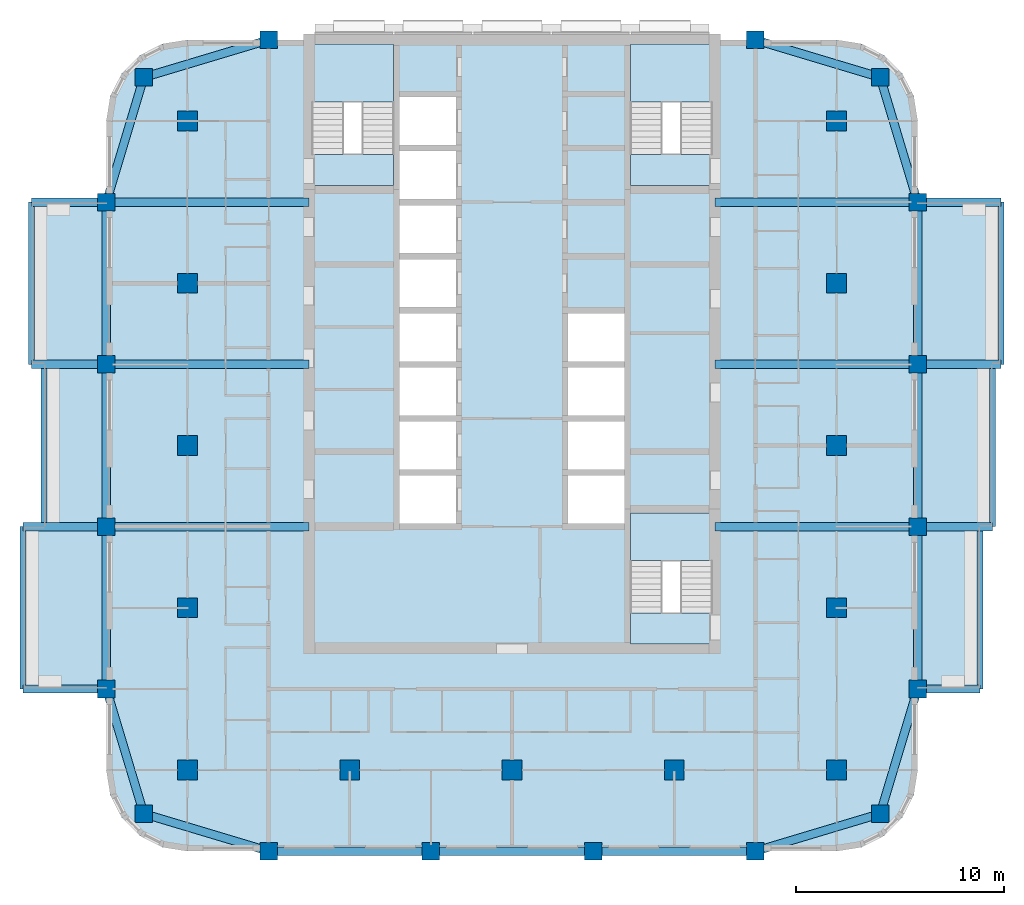
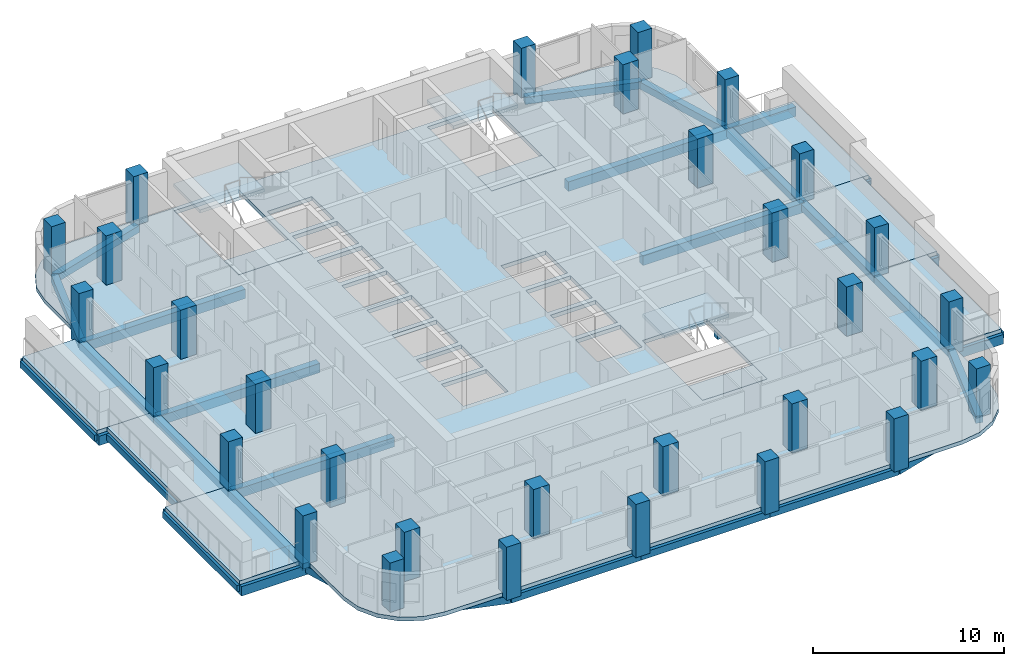
# One storey, part 1 of 13: 37 beams, 31 columns, 13 slabs, 3 elements without a shape of their own.
"""IFC4 building model written with IfcOpenShell, lengths in metres."""

import ifcopenshell
import ifcopenshell.guid

model = None  # the IFC model being written
_history = None  # IfcOwnerHistory: only IFC2X3 demands one
_inside = {}  # id of a spatial element -> (the spatial element, [elements in it])
_under = {}  # id of a project, library or spatial element -> (it, [spatial elements below it])
_declared = {}  # id of a project -> (the project, [libraries it declares])
_typed = {}  # id of a type object -> (the type object, [elements of that type])
_made_of = {}  # id of a material, layer set ... -> (it, [elements and type objects made of it])


def new_model(schema):
    """Start an empty IFC model of exactly this schema.

    Asked for "IFC4X3", IfcOpenShell would pick the latest addendum, in which some entities
    have other attributes; the version numbers below select the first issue.
    IFC2X3 requires an IfcOwnerHistory on every rooted entity: one is made here for all.
    """
    global model, _history
    if schema == "IFC4X3":
        model = ifcopenshell.file(schema_version=(4, 3, 0, 0))
    else:
        model = ifcopenshell.file(schema=schema)
    _inside.clear()
    _under.clear()
    _declared.clear()
    _typed.clear()
    _made_of.clear()
    _history = None
    if model.schema == "IFC2X3":
        org = make("IfcOrganization", Name="unknown")
        user = make(
            "IfcPersonAndOrganization",
            ThePerson=make("IfcPerson", FamilyName="unknown"),
            TheOrganization=org,
        )
        app = make(
            "IfcApplication",
            ApplicationDeveloper=org,
            Version="unknown",
            ApplicationFullName="unknown",
            ApplicationIdentifier="unknown",
        )
        _history = make(
            "IfcOwnerHistory",
            OwningUser=user,
            OwningApplication=app,
            ChangeAction="ADDED",
            CreationDate=0,
        )
    return model


def make(cls, **values):
    """One entity of the class cls with the attributes given. An attribute that is None is left unset."""
    return model.create_entity(
        cls, **{name: value for name, value in values.items() if value is not None}
    )


def rooted(cls, **values):
    """An entity with a GlobalId (a new one), such as an element, a storey or a relation."""
    return make(cls, GlobalId=ifcopenshell.guid.new(), OwnerHistory=_history, **values)


def si_unit(unit_type, name, prefix=None):
    """IfcSIUnit, for example si_unit("LENGTHUNIT", "METRE", prefix="MILLI")."""
    return make("IfcSIUnit", UnitType=unit_type, Prefix=prefix, Name=name)


def assignment(units):
    """IfcUnitAssignment: the units of a project."""
    return None if units is None else make("IfcUnitAssignment", Units=units)


def point(xyz):
    """IfcCartesianPoint."""
    return None if xyz is None else make("IfcCartesianPoint", Coordinates=xyz)


def direction(xyz):
    """IfcDirection."""
    return None if xyz is None else make("IfcDirection", DirectionRatios=xyz)


def frame(location, z_axis=None, x_axis=None):
    """IfcAxis2Placement3D, a coordinate frame: its origin and axes. An axis left out is left unset."""
    return make(
        "IfcAxis2Placement3D",
        Location=point(location),
        Axis=direction(z_axis),
        RefDirection=direction(x_axis),
    )


def frame_2d(location, x_axis=None):
    """IfcAxis2Placement2D, a coordinate frame in the plane: its origin and x axis."""
    return make(
        "IfcAxis2Placement2D", Location=point(location), RefDirection=direction(x_axis)
    )


def origin():
    """The frame at (0, 0, 0) with its axes left unset."""
    return frame((0.0, 0.0, 0.0))


def origin_2d():
    """The frame at (0, 0) in the plane with its x axis left unset."""
    return frame_2d((0.0, 0.0))


def place(relative_to, where):
    """IfcLocalPlacement: puts the frame where relative to a parent placement (None: the world)."""
    return make(
        "IfcLocalPlacement", PlacementRelTo=relative_to, RelativePlacement=where
    )


def context(
    kind, dimensions, precision=None, world=None, true_north=None, identifier=None
):
    """IfcGeometricRepresentationContext, for example the 3D "Model" context."""
    return make(
        "IfcGeometricRepresentationContext",
        ContextIdentifier=identifier,
        ContextType=kind,
        CoordinateSpaceDimension=dimensions,
        Precision=precision,
        WorldCoordinateSystem=world,
        TrueNorth=true_north,
    )


def subcontext(parent, identifier, kind, view, scale=None):
    """IfcGeometricRepresentationSubContext, for example "Body" below "Model"."""
    return make(
        "IfcGeometricRepresentationSubContext",
        ContextIdentifier=identifier,
        ContextType=kind,
        ParentContext=parent,
        TargetScale=scale,
        TargetView=view,
    )


def project(units=None, contexts=None):
    """IfcProject with its units and contexts."""
    return rooted(
        "IfcProject",
        Name="project",
        RepresentationContexts=contexts,
        UnitsInContext=assignment(units),
    )


def spatial(cls, under=None, at=None, **own):
    """A site, building, storey or space (cls), placed at a placement, below another one or the project."""
    s = rooted(cls, ObjectPlacement=at, **own)
    if under is not None:
        _under.setdefault(under.id(), (under, []))[1].append(s)
    return s


def polyline(points):
    """IfcPolyline through the points."""
    return make("IfcPolyline", Points=[point(p) for p in points])


def profile(cls, at=None, kind="AREA", **sizes):
    """A parametric profile (cls). Its sizes go by their IFC names, for example OverallWidth=200.0."""
    return make(cls, ProfileType=kind, Position=at, **sizes)


def rectangle(**sizes):
    """IfcRectangleProfileDef."""
    return profile("IfcRectangleProfileDef", **sizes)


def outline(outer, holes=None, kind="AREA"):
    """IfcArbitraryClosedProfileDef: a profile drawn as a closed curve; with holes, ...WithVoids."""
    if holes is None:
        return make("IfcArbitraryClosedProfileDef", ProfileType=kind, OuterCurve=outer)
    return make(
        "IfcArbitraryProfileDefWithVoids",
        ProfileType=kind,
        OuterCurve=outer,
        InnerCurves=holes,
    )


def extrude(swept, where, along, depth):
    """IfcExtrudedAreaSolid: the profile swept, set in the frame where, extruded along a direction by depth."""
    return make(
        "IfcExtrudedAreaSolid",
        SweptArea=swept,
        Position=where,
        ExtrudedDirection=direction(along),
        Depth=depth,
    )


def shape(context_of_items, identifier, shape_type, items):
    """IfcShapeRepresentation: the items that make up one representation, for example the "Body"."""
    return make(
        "IfcShapeRepresentation",
        ContextOfItems=context_of_items,
        RepresentationIdentifier=identifier,
        RepresentationType=shape_type,
        Items=items,
    )


def material(Name=None, Category=None):
    """IfcMaterial."""
    return make("IfcMaterial", Name=Name, Category=Category)


def layer(
    of_material, thickness, ventilated=None, Name=None, Category=None, Priority=None
):
    """IfcMaterialLayer: one layer of a wall or slab, of a material (None: an air gap)."""
    return make(
        "IfcMaterialLayer",
        Material=of_material,
        LayerThickness=thickness,
        IsVentilated=ventilated,
        Name=Name,
        Category=Category,
        Priority=Priority,
    )


def layer_set(layers, Name=None):
    """IfcMaterialLayerSet."""
    return make("IfcMaterialLayerSet", MaterialLayers=layers, LayerSetName=Name)


def material_profile(
    of_material, cross_section, Name=None, Category=None, Priority=None
):
    """IfcMaterialProfile: a cross section and its material."""
    return make(
        "IfcMaterialProfile",
        Name=Name,
        Material=of_material,
        Profile=cross_section,
        Priority=Priority,
        Category=Category,
    )


def profile_set(profiles, Name=None, composite=None):
    """IfcMaterialProfileSet."""
    return make(
        "IfcMaterialProfileSet",
        Name=Name,
        MaterialProfiles=profiles,
        CompositeProfile=composite,
    )


def made_of(thing, what):
    """Note that an element or type object is made of a material, layer set ...; save() writes the relation."""
    if what is not None:
        _made_of.setdefault(what.id(), (what, []))[1].append(thing)
    return thing


def type_object(cls, material=None, **own):
    """A type object (cls), such as IfcWallType, which elements share."""
    return made_of(rooted(cls, **own), material)


def element(
    cls,
    number,
    at=None,
    inside=None,
    cuts=None,
    type_object=None,
    material=None,
    context=None,
    identifier="Body",
    shape_type=None,
    held_by="IfcProductDefinitionShape",
    body=None,
    shapes=None,
    **own,
):
    """One element of the class cls, such as IfcWall. Its Tag is "e" and its number.

    at: its placement. inside: the storey or other place that contains it. cuts: it is an
    opening in that element (IfcRelVoidsElement). A single representation is given by context,
    identifier, shape_type and body (its items); several are given by shapes. held_by: the class
    of the entity that holds the representations. save() writes the other relations.
    """
    e = rooted(cls, Tag="e%d" % number, ObjectPlacement=at, **own)
    if body is not None:
        shapes = [shape(context, identifier, shape_type, body)]
    if shapes is not None:
        e.Representation = make(held_by, Representations=shapes)
    if inside is not None:
        _inside.setdefault(inside.id(), (inside, []))[1].append(e)
    if cuts is not None:
        rooted(
            "IfcRelVoidsElement", RelatingBuildingElement=cuts, RelatedOpeningElement=e
        )
    if type_object is not None:
        _typed.setdefault(type_object.id(), (type_object, []))[1].append(e)
    return made_of(e, material)


def aggregate(whole, parts):
    """IfcRelAggregates: a whole, such as a stair, and the parts it consists of."""
    return rooted("IfcRelAggregates", RelatingObject=whole, RelatedObjects=parts)


def save(model, path):
    """Write the relations noted so far, then the file.

    IfcRelAggregates (storeys below a building ...), IfcRelContainedInSpatialStructure (elements
    in a storey), IfcRelDefinesByType, IfcRelAssociatesMaterial and IfcRelDeclares: one each for
    every whole, place, type object, material and project.
    """
    for whole, parts in _under.values():
        aggregate(whole, parts)
    for where, things in _inside.values():
        rooted(
            "IfcRelContainedInSpatialStructure",
            RelatedElements=things,
            RelatingStructure=where,
        )
    for kind, things in _typed.values():
        rooted("IfcRelDefinesByType", RelatedObjects=things, RelatingType=kind)
    for what, things in _made_of.values():
        rooted("IfcRelAssociatesMaterial", RelatedObjects=things, RelatingMaterial=what)
    for by, libraries in _declared.values():
        rooted("IfcRelDeclares", RelatingContext=by, RelatedDefinitions=libraries)
    model.write(path)


model = new_model("IFC4")

# Units and contexts
model_context = context("Model", 3, precision=1e-05, world=origin(), true_north=direction((0.0, 1.0)))
body_context = subcontext(model_context, "Body", "Model", "MODEL_VIEW")
ifc_project = project(units=[si_unit("LENGTHUNIT", "METRE"), si_unit("AREAUNIT", "SQUARE_METRE"), si_unit("VOLUMEUNIT", "CUBIC_METRE"), si_unit("PLANEANGLEUNIT", "RADIAN"), si_unit("MASSUNIT", "GRAM", prefix="KILO")], contexts=[model_context])

# Site, building, storey
site_placement = place(None, origin())
site = spatial("IfcSite", under=ifc_project, at=site_placement, CompositionType="ELEMENT")
building_placement = place(site_placement, origin())
building = spatial("IfcBuilding", under=site, at=building_placement, Name="Ludao Terraces", CompositionType="ELEMENT")
storey_placement = place(building_placement, frame((0.0, 0.0, 127.10009765625)))
storey = spatial("IfcBuildingStorey", under=building, at=storey_placement, Name="L34", CompositionType="ELEMENT", Elevation=127.10009765625)

# Columns
ifc_material_1 = material(Name="Concrete C50", Category="concrete")
ifc_material_profile_1 = material_profile(ifc_material_1, rectangle(XDim=0.85009765625, YDim=0.85009765625, at=origin_2d()), Name="850 X 850")
ifc_profile_set_1 = profile_set([ifc_material_profile_1], Name="Concrete C50")
column_type_1 = type_object("IfcColumnType", Name="RC column 850x850 C50", PredefinedType="COLUMN", material=ifc_profile_set_1)
for number, where, z_axis, x_axis, name in (
    (1, (67.300048828125, 47.300048828125, -0.25), (0.0, 0.0, 1.0), (1.0, 0.0, 0.0), "Column L34 C0057x0057"),
    (2, (102.699951171875, 47.300048828125, -0.25), (0.0, 0.0, 1.0), (1.0, 0.0, 0.0), "Column L34 C0411x0057"),
    (3, (67.300048828125, 82.699951171875, -0.25), (0.0, 0.0, 1.0), (1.0, 0.0, 0.0), "Column L34 C0057x0411"),
    (4, (102.699951171875, 82.699951171875, -0.25), (0.0, 0.0, 1.0), (1.0, 0.0, 0.0), "Column L34 C0411x0411"),
    (5, (65.5, 53.300048828125, -0.25), (0.0, 0.0, 1.0), (1.0, 0.0, 0.0), "Column L34 W0039x0117"),
    (6, (104.5, 53.300048828125, -0.25), (0.0, 0.0, 1.0), (1.0, 0.0, 0.0), "Column L34 W0429x0117"),
    (7, (73.300048828125, 45.5, -0.25), (0.0, 0.0, 1.0), (1.0, 0.0, 0.0), "Column L34 W0117x0039"),
    (8, (73.300048828125, 84.5, -0.25), (0.0, 0.0, 1.0), (1.0, 0.0, 0.0), "Column L34 W0117x0429"),
    (9, (65.5, 61.10009765625, -0.25), (0.0, 0.0, 1.0), (1.0, 0.0, 0.0), "Column L34 W0039x0195"),
    (10, (104.5, 61.10009765625, -0.25), (0.0, 0.0, 1.0), (1.0, 0.0, 0.0), "Column L34 W0429x0195"),
    (11, (81.10009765625, 45.5, -0.25), (0.0, 0.0, 1.0), (1.0, 0.0, 0.0), "Column L34 W0195x0039"),
    (12, (65.5, 68.89990234375, -0.25), (0.0, 0.0, 1.0), (1.0, 0.0, 0.0), "Column L34 W0039x0273"),
    (13, (104.5, 68.89990234375, -0.25), (0.0, 0.0, 1.0), (1.0, 0.0, 0.0), "Column L34 W0429x0273"),
    (14, (88.89990234375, 45.5, -0.25), (0.0, 0.0, 1.0), (1.0, 0.0, 0.0), "Column L34 W0273x0039"),
    (15, (65.5, 76.699951171875, -0.25), (0.0, 0.0, 1.0), (1.0, 0.0, 0.0), "Column L34 W0039x0351"),
    (16, (104.5, 76.699951171875, -0.25), (0.0, 0.0, 1.0), (1.0, 0.0, 0.0), "Column L34 W0429x0351"),
    (17, (96.699951171875, 45.5, -0.25), (0.0, 0.0, 1.0), (1.0, 0.0, 0.0), "Column L34 W0351x0039"),
    (18, (96.699951171875, 84.5, -0.25), (0.0, 0.0, 1.0), (1.0, 0.0, 0.0), "Column L34 W0351x0429"),
):
    element("IfcColumn", number, at=place(storey_placement, frame(where, z_axis=z_axis, x_axis=x_axis)), inside=storey, type_object=column_type_1, Name=name, PredefinedType="COLUMN", context=body_context, shape_type="SweptSolid", body=[
        extrude(rectangle(XDim=0.85009765625, YDim=0.85009765625, at=origin_2d()), origin(), (0.0, 0.0, 1.0), 3.39990234375),
    ])
ifc_material_profile_2 = material_profile(ifc_material_1, rectangle(XDim=0.949951171875, YDim=0.949951171875, at=origin_2d()), Name="950 X 950")
ifc_profile_set_2 = profile_set([ifc_material_profile_2], Name="Concrete C50")
column_type_2 = type_object("IfcColumnType", Name="RC column 950x950 C50", PredefinedType="COLUMN", material=ifc_profile_set_2)
for number, where, z_axis, x_axis, name in (
    (19, (69.39990234375, 49.39990234375, -0.25), (0.0, 0.0, 1.0), (1.0, 0.0, 0.0), "Column L34 S0078x0078"),
    (20, (69.39990234375, 57.199951171875, -0.25), (0.0, 0.0, 1.0), (1.0, 0.0, 0.0), "Column L34 S0078x0156"),
    (21, (69.39990234375, 65.0, -0.25), (0.0, 0.0, 1.0), (1.0, 0.0, 0.0), "Column L34 S0078x0234"),
    (22, (69.39990234375, 72.800048828125, -0.25), (0.0, 0.0, 1.0), (1.0, 0.0, 0.0), "Column L34 S0078x0312"),
    (23, (69.39990234375, 80.60009765625, -0.25), (0.0, 0.0, 1.0), (1.0, 0.0, 0.0), "Column L34 S0078x0390"),
    (24, (77.199951171875, 49.39990234375, -0.25), (0.0, 0.0, 1.0), (1.0, 0.0, 0.0), "Column L34 S0156x0078"),
    (25, (85.0, 49.39990234375, -0.25), (0.0, 0.0, 1.0), (1.0, 0.0, 0.0), "Column L34 S0234x0078"),
    (26, (92.800048828125, 49.39990234375, -0.25), (0.0, 0.0, 1.0), (1.0, 0.0, 0.0), "Column L34 S0312x0078"),
    (27, (100.60009765625, 49.39990234375, -0.25), (0.0, 0.0, 1.0), (1.0, 0.0, 0.0), "Column L34 S0390x0078"),
    (28, (100.60009765625, 57.199951171875, -0.25), (0.0, 0.0, 1.0), (1.0, 0.0, 0.0), "Column L34 S0390x0156"),
    (29, (100.60009765625, 65.0, -0.25), (0.0, 0.0, 1.0), (1.0, 0.0, 0.0), "Column L34 S0390x0234"),
    (30, (100.60009765625, 72.800048828125, -0.25), (0.0, 0.0, 1.0), (1.0, 0.0, 0.0), "Column L34 S0390x0312"),
    (31, (100.60009765625, 80.60009765625, -0.25), (0.0, 0.0, 1.0), (1.0, 0.0, 0.0), "Column L34 S0390x0390"),
):
    element("IfcColumn", number, at=place(storey_placement, frame(where, z_axis=z_axis, x_axis=x_axis)), inside=storey, type_object=column_type_2, Name=name, PredefinedType="COLUMN", context=body_context, shape_type="SweptSolid", body=[
        extrude(rectangle(XDim=0.949951171875, YDim=0.949951171875, at=origin_2d()), origin(), (0.0, 0.0, 1.0), 3.39990234375),
    ])

# Beams
ifc_material_2 = material(Name="Concrete C40", Category="concrete")
ifc_material_profile_3 = material_profile(ifc_material_2, rectangle(XDim=0.300048828125, YDim=0.39990234375, at=origin_2d()), Name="300 X 400")
ifc_profile_set_3 = profile_set([ifc_material_profile_3], Name="Concrete C40")
beam_type_1 = type_object("IfcBeamType", Name="RC beam 300x400 C40", PredefinedType="BEAM", material=ifc_profile_set_3)
beam_1_placement = place(storey_placement, frame((107.5, 53.300048828125, -0.4501953125), z_axis=(0.0, 1.0, 0.0), x_axis=(-1.0, 0.0, 0.0)))
element("IfcBeam", 32, at=beam_1_placement, inside=storey, type_object=beam_type_1, Name="Balcony edge beam L34 E1", PredefinedType="BEAM", context=body_context, shape_type="SweptSolid", body=[
    extrude(rectangle(XDim=0.300048828125, YDim=0.39990234375, at=origin_2d()), origin(), (0.0, 0.0, 1.0), 7.800048828125),
])
beam_2_placement = place(storey_placement, frame((108.10009765625, 61.10009765625, -0.4501953125), z_axis=(0.0, 1.0, 0.0), x_axis=(-1.0, 0.0, 0.0)))
element("IfcBeam", 33, at=beam_2_placement, inside=storey, type_object=beam_type_1, Name="Balcony edge beam L34 E2", PredefinedType="BEAM", context=body_context, shape_type="SweptSolid", body=[
    extrude(rectangle(XDim=0.300048828125, YDim=0.39990234375, at=origin_2d()), origin(), (0.0, 0.0, 1.0), 7.7998046875),
])
for number, where, z_axis, x_axis, name in (
    (34, (108.5, 68.89990234375, -0.4501953125), (0.0, 1.0, 0.0), (-1.0, 0.0, 0.0), "Balcony edge beam L34 E3"),
    (35, (61.5, 53.300048828125, -0.4501953125), (0.0, 1.0, 0.0), (-1.0, 0.0, 0.0), "Balcony edge beam L34 W1"),
):
    element("IfcBeam", number, at=place(storey_placement, frame(where, z_axis=z_axis, x_axis=x_axis)), inside=storey, type_object=beam_type_1, Name=name, PredefinedType="BEAM", context=body_context, shape_type="SweptSolid", body=[
        extrude(rectangle(XDim=0.300048828125, YDim=0.39990234375, at=origin_2d()), origin(), (0.0, 0.0, 1.0), 7.800048828125),
    ])
beam_3_placement = place(storey_placement, frame((62.5, 61.10009765625, -0.4501953125), z_axis=(0.0, 1.0, 0.0), x_axis=(-1.0, 0.0, 0.0)))
element("IfcBeam", 36, at=beam_3_placement, inside=storey, type_object=beam_type_1, Name="Balcony edge beam L34 W2", PredefinedType="BEAM", context=body_context, shape_type="SweptSolid", body=[
    extrude(rectangle(XDim=0.300048828125, YDim=0.39990234375, at=origin_2d()), origin(), (0.0, 0.0, 1.0), 7.7998046875),
])
beam_4_placement = place(storey_placement, frame((61.89990234375, 68.89990234375, -0.4501953125), z_axis=(0.0, 1.0, 0.0), x_axis=(-1.0, 0.0, 0.0)))
element("IfcBeam", 37, at=beam_4_placement, inside=storey, type_object=beam_type_1, Name="Balcony edge beam L34 W3", PredefinedType="BEAM", context=body_context, shape_type="SweptSolid", body=[
    extrude(rectangle(XDim=0.300048828125, YDim=0.39990234375, at=origin_2d()), origin(), (0.0, 0.0, 1.0), 7.800048828125),
])
ifc_material_profile_4 = material_profile(ifc_material_2, rectangle(XDim=0.39990234375, YDim=0.449951171875, at=origin_2d()), Name="400 X 450")
ifc_profile_set_4 = profile_set([ifc_material_profile_4], Name="Concrete C40")
beam_type_2 = type_object("IfcBeamType", Name="RC beam 400x450 C40", PredefinedType="BEAM", material=ifc_profile_set_4)
beam_5_placement = place(storey_placement, frame((67.300048828125, 47.300048828125, -0.47509765625), z_axis=(0.957824139839, -0.287355036744, 0.0), x_axis=(0.287355036744, 0.957824139839, 0.0)))
element("IfcBeam", 38, at=beam_5_placement, inside=storey, type_object=beam_type_2, Name="Spandrel beam L34 S1", PredefinedType="BEAM", context=body_context, shape_type="SweptSolid", body=[
    extrude(rectangle(XDim=0.39990234375, YDim=0.449951171875, at=origin_2d()), origin(), (0.0, 0.0, 1.0), 6.26416015625),
])
beam_6_placement = place(storey_placement, frame((73.300048828125, 45.5, -0.47509765625), z_axis=(1.0, 0.0, 0.0), x_axis=(0.0, 1.0, 0.0)))
element("IfcBeam", 39, at=beam_6_placement, inside=storey, type_object=beam_type_2, Name="Spandrel beam L34 S2", PredefinedType="BEAM", context=body_context, shape_type="SweptSolid", body=[
    extrude(rectangle(XDim=0.39990234375, YDim=0.449951171875, at=origin_2d()), origin(), (0.0, 0.0, 1.0), 7.800048828125),
])
beam_7_placement = place(storey_placement, frame((81.10009765625, 45.5, -0.47509765625), z_axis=(1.0, 0.0, 0.0), x_axis=(0.0, 1.0, 0.0)))
element("IfcBeam", 40, at=beam_7_placement, inside=storey, type_object=beam_type_2, Name="Spandrel beam L34 S3", PredefinedType="BEAM", context=body_context, shape_type="SweptSolid", body=[
    extrude(rectangle(XDim=0.39990234375, YDim=0.449951171875, at=origin_2d()), origin(), (0.0, 0.0, 1.0), 7.7998046875),
])
beam_8_placement = place(storey_placement, frame((88.89990234375, 45.5, -0.47509765625), z_axis=(1.0, 0.0, 0.0), x_axis=(0.0, 1.0, 0.0)))
element("IfcBeam", 41, at=beam_8_placement, inside=storey, type_object=beam_type_2, Name="Spandrel beam L34 S4", PredefinedType="BEAM", context=body_context, shape_type="SweptSolid", body=[
    extrude(rectangle(XDim=0.39990234375, YDim=0.449951171875, at=origin_2d()), origin(), (0.0, 0.0, 1.0), 7.800048828125),
])
for number, where, z_axis, x_axis, name in (
    (42, (96.699951171875, 45.5, -0.47509765625), (0.957824139839, 0.287355036744, 0.0), (-0.287355036744, 0.957824139839, 0.0), "Spandrel beam L34 S5"),
    (43, (67.300048828125, 82.699951171875, -0.47509765625), (0.957824139839, 0.287355036744, 0.0), (-0.287355036744, 0.957824139839, 0.0), "Spandrel beam L34 N6"),
    (44, (96.699951171875, 84.5, -0.47509765625), (0.957824139839, -0.287355036744, 0.0), (0.287355036744, 0.957824139839, 0.0), "Spandrel beam L34 N7"),
    (45, (67.300048828125, 47.300048828125, -0.47509765625), (-0.287355036744, 0.957824139839, 0.0), (-0.957824139839, -0.287355036744, 0.0), "Spandrel beam L34 W8"),
):
    element("IfcBeam", number, at=place(storey_placement, frame(where, z_axis=z_axis, x_axis=x_axis)), inside=storey, type_object=beam_type_2, Name=name, PredefinedType="BEAM", context=body_context, shape_type="SweptSolid", body=[
        extrude(rectangle(XDim=0.39990234375, YDim=0.449951171875, at=origin_2d()), origin(), (0.0, 0.0, 1.0), 6.26416015625),
    ])
beam_9_placement = place(storey_placement, frame((65.5, 53.300048828125, -0.47509765625), z_axis=(0.0, 1.0, 0.0), x_axis=(-1.0, 0.0, 0.0)))
element("IfcBeam", 46, at=beam_9_placement, inside=storey, type_object=beam_type_2, Name="Spandrel beam L34 W9", PredefinedType="BEAM", context=body_context, shape_type="SweptSolid", body=[
    extrude(rectangle(XDim=0.39990234375, YDim=0.449951171875, at=origin_2d()), origin(), (0.0, 0.0, 1.0), 7.800048828125),
])
beam_10_placement = place(storey_placement, frame((65.5, 61.10009765625, -0.47509765625), z_axis=(0.0, 1.0, 0.0), x_axis=(-1.0, 0.0, 0.0)))
element("IfcBeam", 47, at=beam_10_placement, inside=storey, type_object=beam_type_2, Name="Spandrel beam L34 W10", PredefinedType="BEAM", context=body_context, shape_type="SweptSolid", body=[
    extrude(rectangle(XDim=0.39990234375, YDim=0.449951171875, at=origin_2d()), origin(), (0.0, 0.0, 1.0), 7.7998046875),
])
beam_11_placement = place(storey_placement, frame((65.5, 68.89990234375, -0.47509765625), z_axis=(0.0, 1.0, 0.0), x_axis=(-1.0, 0.0, 0.0)))
element("IfcBeam", 48, at=beam_11_placement, inside=storey, type_object=beam_type_2, Name="Spandrel beam L34 W11", PredefinedType="BEAM", context=body_context, shape_type="SweptSolid", body=[
    extrude(rectangle(XDim=0.39990234375, YDim=0.449951171875, at=origin_2d()), origin(), (0.0, 0.0, 1.0), 7.800048828125),
])
for number, where, z_axis, x_axis, name in (
    (49, (65.5, 76.699951171875, -0.47509765625), (0.287355036744, 0.957824139839, 0.0), (-0.957824139839, 0.287355036744, 0.0), "Spandrel beam L34 W12"),
    (50, (102.699951171875, 47.300048828125, -0.47509765625), (0.287355036744, 0.957824139839, 0.0), (-0.957824139839, 0.287355036744, 0.0), "Spandrel beam L34 E13"),
):
    element("IfcBeam", number, at=place(storey_placement, frame(where, z_axis=z_axis, x_axis=x_axis)), inside=storey, type_object=beam_type_2, Name=name, PredefinedType="BEAM", context=body_context, shape_type="SweptSolid", body=[
        extrude(rectangle(XDim=0.39990234375, YDim=0.449951171875, at=origin_2d()), origin(), (0.0, 0.0, 1.0), 6.26416015625),
    ])
beam_12_placement = place(storey_placement, frame((104.5, 53.300048828125, -0.47509765625), z_axis=(0.0, 1.0, 0.0), x_axis=(-1.0, 0.0, 0.0)))
element("IfcBeam", 51, at=beam_12_placement, inside=storey, type_object=beam_type_2, Name="Spandrel beam L34 E14", PredefinedType="BEAM", context=body_context, shape_type="SweptSolid", body=[
    extrude(rectangle(XDim=0.39990234375, YDim=0.449951171875, at=origin_2d()), origin(), (0.0, 0.0, 1.0), 7.800048828125),
])
beam_13_placement = place(storey_placement, frame((104.5, 61.10009765625, -0.47509765625), z_axis=(0.0, 1.0, 0.0), x_axis=(-1.0, 0.0, 0.0)))
element("IfcBeam", 52, at=beam_13_placement, inside=storey, type_object=beam_type_2, Name="Spandrel beam L34 E15", PredefinedType="BEAM", context=body_context, shape_type="SweptSolid", body=[
    extrude(rectangle(XDim=0.39990234375, YDim=0.449951171875, at=origin_2d()), origin(), (0.0, 0.0, 1.0), 7.7998046875),
])
beam_14_placement = place(storey_placement, frame((104.5, 68.89990234375, -0.47509765625), z_axis=(0.0, 1.0, 0.0), x_axis=(-1.0, 0.0, 0.0)))
element("IfcBeam", 53, at=beam_14_placement, inside=storey, type_object=beam_type_2, Name="Spandrel beam L34 E16", PredefinedType="BEAM", context=body_context, shape_type="SweptSolid", body=[
    extrude(rectangle(XDim=0.39990234375, YDim=0.449951171875, at=origin_2d()), origin(), (0.0, 0.0, 1.0), 7.800048828125),
])
beam_15_placement = place(storey_placement, frame((104.5, 76.699951171875, -0.47509765625), z_axis=(-0.287355036744, 0.957824139839, 0.0), x_axis=(-0.957824139839, -0.287355036744, 0.0)))
element("IfcBeam", 54, at=beam_15_placement, inside=storey, type_object=beam_type_2, Name="Spandrel beam L34 E17", PredefinedType="BEAM", context=body_context, shape_type="SweptSolid", body=[
    extrude(rectangle(XDim=0.39990234375, YDim=0.449951171875, at=origin_2d()), origin(), (0.0, 0.0, 1.0), 6.26416015625),
])
ifc_material_profile_5 = material_profile(ifc_material_2, rectangle(XDim=0.39990234375, YDim=0.60009765625, at=origin_2d()), Name="400 X 600")
ifc_profile_set_5 = profile_set([ifc_material_profile_5], Name="Concrete C40")
beam_type_3 = type_object("IfcBeamType", Name="RC beam 400x600 C40", PredefinedType="BEAM", material=ifc_profile_set_5)
beam_16_placement = place(storey_placement, frame((104.5, 53.300048828125, -0.550048828125), z_axis=(1.0, 0.0, 0.0), x_axis=(0.0, 1.0, 0.0)))
element("IfcBeam", 55, at=beam_16_placement, inside=storey, type_object=beam_type_3, Name="Balcony beam L34 E533", PredefinedType="BEAM", context=body_context, shape_type="SweptSolid", body=[
    extrude(rectangle(XDim=0.39990234375, YDim=0.60009765625, at=origin_2d()), origin(), (0.0, 0.0, 1.0), 3.0),
])
beam_17_placement = place(storey_placement, frame((94.75, 61.10009765625, -0.550048828125), z_axis=(1.0, 0.0, 0.0), x_axis=(0.0, 1.0, 0.0)))
element("IfcBeam", 56, at=beam_17_placement, inside=storey, type_object=beam_type_3, Name="Balcony beam L34 E611", PredefinedType="BEAM", context=body_context, shape_type="SweptSolid", body=[
    extrude(rectangle(XDim=0.39990234375, YDim=0.60009765625, at=origin_2d()), origin(), (0.0, 0.0, 1.0), 9.75),
])
beam_18_placement = place(storey_placement, frame((104.5, 61.10009765625, -0.550048828125), z_axis=(1.0, 0.0, 0.0), x_axis=(0.0, 1.0, 0.0)))
element("IfcBeam", 57, at=beam_18_placement, inside=storey, type_object=beam_type_3, Name="Balcony beam L34 E611", PredefinedType="BEAM", context=body_context, shape_type="SweptSolid", body=[
    extrude(rectangle(XDim=0.39990234375, YDim=0.60009765625, at=origin_2d()), origin(), (0.0, 0.0, 1.0), 3.60009765625),
])
beam_19_placement = place(storey_placement, frame((94.75, 68.89990234375, -0.550048828125), z_axis=(1.0, 0.0, 0.0), x_axis=(0.0, 1.0, 0.0)))
element("IfcBeam", 58, at=beam_19_placement, inside=storey, type_object=beam_type_3, Name="Balcony beam L34 E689", PredefinedType="BEAM", context=body_context, shape_type="SweptSolid", body=[
    extrude(rectangle(XDim=0.39990234375, YDim=0.60009765625, at=origin_2d()), origin(), (0.0, 0.0, 1.0), 9.75),
])
beam_20_placement = place(storey_placement, frame((104.5, 68.89990234375, -0.550048828125), z_axis=(1.0, 0.0, 0.0), x_axis=(0.0, 1.0, 0.0)))
element("IfcBeam", 59, at=beam_20_placement, inside=storey, type_object=beam_type_3, Name="Balcony beam L34 E689", PredefinedType="BEAM", context=body_context, shape_type="SweptSolid", body=[
    extrude(rectangle(XDim=0.39990234375, YDim=0.60009765625, at=origin_2d()), origin(), (0.0, 0.0, 1.0), 4.0),
])
beam_21_placement = place(storey_placement, frame((94.75, 76.699951171875, -0.550048828125), z_axis=(1.0, 0.0, 0.0), x_axis=(0.0, 1.0, 0.0)))
element("IfcBeam", 60, at=beam_21_placement, inside=storey, type_object=beam_type_3, Name="Balcony beam L34 E767", PredefinedType="BEAM", context=body_context, shape_type="SweptSolid", body=[
    extrude(rectangle(XDim=0.39990234375, YDim=0.60009765625, at=origin_2d()), origin(), (0.0, 0.0, 1.0), 9.75),
])
for number, where, z_axis, x_axis, name in (
    (61, (104.5, 76.699951171875, -0.550048828125), (1.0, 0.0, 0.0), (0.0, 1.0, 0.0), "Balcony beam L34 E767"),
    (62, (65.5, 53.300048828125, -0.550048828125), (-1.0, 0.0, 0.0), (0.0, -1.0, 0.0), "Balcony beam L34 W533"),
):
    element("IfcBeam", number, at=place(storey_placement, frame(where, z_axis=z_axis, x_axis=x_axis)), inside=storey, type_object=beam_type_3, Name=name, PredefinedType="BEAM", context=body_context, shape_type="SweptSolid", body=[
        extrude(rectangle(XDim=0.39990234375, YDim=0.60009765625, at=origin_2d()), origin(), (0.0, 0.0, 1.0), 4.0),
    ])
beam_22_placement = place(storey_placement, frame((75.25, 61.10009765625, -0.550048828125), z_axis=(-1.0, 0.0, 0.0), x_axis=(0.0, -1.0, 0.0)))
element("IfcBeam", 63, at=beam_22_placement, inside=storey, type_object=beam_type_3, Name="Balcony beam L34 W611", PredefinedType="BEAM", context=body_context, shape_type="SweptSolid", body=[
    extrude(rectangle(XDim=0.39990234375, YDim=0.60009765625, at=origin_2d()), origin(), (0.0, 0.0, 1.0), 9.75),
])
beam_23_placement = place(storey_placement, frame((65.5, 61.10009765625, -0.550048828125), z_axis=(-1.0, 0.0, 0.0), x_axis=(0.0, -1.0, 0.0)))
element("IfcBeam", 64, at=beam_23_placement, inside=storey, type_object=beam_type_3, Name="Balcony beam L34 W611", PredefinedType="BEAM", context=body_context, shape_type="SweptSolid", body=[
    extrude(rectangle(XDim=0.39990234375, YDim=0.60009765625, at=origin_2d()), origin(), (0.0, 0.0, 1.0), 4.0),
])
beam_24_placement = place(storey_placement, frame((75.25, 68.89990234375, -0.550048828125), z_axis=(-1.0, 0.0, 0.0), x_axis=(0.0, -1.0, 0.0)))
element("IfcBeam", 65, at=beam_24_placement, inside=storey, type_object=beam_type_3, Name="Balcony beam L34 W689", PredefinedType="BEAM", context=body_context, shape_type="SweptSolid", body=[
    extrude(rectangle(XDim=0.39990234375, YDim=0.60009765625, at=origin_2d()), origin(), (0.0, 0.0, 1.0), 9.75),
])
beam_25_placement = place(storey_placement, frame((65.5, 68.89990234375, -0.550048828125), z_axis=(-1.0, 0.0, 0.0), x_axis=(0.0, -1.0, 0.0)))
element("IfcBeam", 66, at=beam_25_placement, inside=storey, type_object=beam_type_3, Name="Balcony beam L34 W689", PredefinedType="BEAM", context=body_context, shape_type="SweptSolid", body=[
    extrude(rectangle(XDim=0.39990234375, YDim=0.60009765625, at=origin_2d()), origin(), (0.0, 0.0, 1.0), 3.60009765625),
])
beam_26_placement = place(storey_placement, frame((75.25, 76.699951171875, -0.550048828125), z_axis=(-1.0, 0.0, 0.0), x_axis=(0.0, -1.0, 0.0)))
element("IfcBeam", 67, at=beam_26_placement, inside=storey, type_object=beam_type_3, Name="Balcony beam L34 W767", PredefinedType="BEAM", context=body_context, shape_type="SweptSolid", body=[
    extrude(rectangle(XDim=0.39990234375, YDim=0.60009765625, at=origin_2d()), origin(), (0.0, 0.0, 1.0), 9.75),
])
beam_27_placement = place(storey_placement, frame((65.5, 76.699951171875, -0.550048828125), z_axis=(-1.0, 0.0, 0.0), x_axis=(0.0, -1.0, 0.0)))
element("IfcBeam", 68, at=beam_27_placement, inside=storey, type_object=beam_type_3, Name="Balcony beam L34 W767", PredefinedType="BEAM", context=body_context, shape_type="SweptSolid", body=[
    extrude(rectangle(XDim=0.39990234375, YDim=0.60009765625, at=origin_2d()), origin(), (0.0, 0.0, 1.0), 3.60009765625),
])

# Slabs
ifc_layer_1 = layer(ifc_material_2, 0.25)
ifc_layer_set_1 = layer_set([ifc_layer_1], Name="Balcony slab 250 C40")
slab_type_1 = type_object("IfcSlabType", Name="Balcony slab 250 C40", PredefinedType="USERDEFINED", material=ifc_layer_set_1)
slab_1_placement = place(storey_placement, frame((0.0, 0.0, -0.25)))
element("IfcSlab", 69, at=slab_1_placement, inside=storey, type_object=slab_type_1, Name="Balcony L34 E1", ObjectType="BALCONY", PredefinedType="USERDEFINED", context=body_context, shape_type="SweptSolid", body=[
    extrude(outline(polyline([(104.5, 53.300048828125), (107.5, 53.300048828125), (107.5, 61.10009765625), (104.5, 61.10009765625), (104.5, 53.300048828125)])), origin(), (0.0, 0.0, 1.0), 0.25),
])
slab_2_placement = place(storey_placement, frame((0.0, 0.0, -0.25)))
element("IfcSlab", 70, at=slab_2_placement, inside=storey, type_object=slab_type_1, Name="Balcony L34 E2", ObjectType="BALCONY", PredefinedType="USERDEFINED", context=body_context, shape_type="SweptSolid", body=[
    extrude(outline(polyline([(104.5, 61.10009765625), (108.10009765625, 61.10009765625), (108.10009765625, 68.89990234375), (104.5, 68.89990234375), (104.5, 61.10009765625)])), origin(), (0.0, 0.0, 1.0), 0.25),
])
slab_3_placement = place(storey_placement, frame((0.0, 0.0, -0.25)))
element("IfcSlab", 71, at=slab_3_placement, inside=storey, type_object=slab_type_1, Name="Balcony L34 E3", ObjectType="BALCONY", PredefinedType="USERDEFINED", context=body_context, shape_type="SweptSolid", body=[
    extrude(outline(polyline([(104.5, 68.89990234375), (108.5, 68.89990234375), (108.5, 76.699951171875), (104.5, 76.699951171875), (104.5, 68.89990234375)])), origin(), (0.0, 0.0, 1.0), 0.25),
])
slab_4_placement = place(storey_placement, frame((0.0, 0.0, -0.25)))
element("IfcSlab", 72, at=slab_4_placement, inside=storey, type_object=slab_type_1, Name="Balcony L34 W1", ObjectType="BALCONY", PredefinedType="USERDEFINED", context=body_context, shape_type="SweptSolid", body=[
    extrude(outline(polyline([(61.5, 53.300048828125), (65.5, 53.300048828125), (65.5, 61.10009765625), (61.5, 61.10009765625), (61.5, 53.300048828125)])), origin(), (0.0, 0.0, 1.0), 0.25),
])
slab_5_placement = place(storey_placement, frame((0.0, 0.0, -0.25)))
element("IfcSlab", 73, at=slab_5_placement, inside=storey, type_object=slab_type_1, Name="Balcony L34 W2", ObjectType="BALCONY", PredefinedType="USERDEFINED", context=body_context, shape_type="SweptSolid", body=[
    extrude(outline(polyline([(62.5, 61.10009765625), (65.5, 61.10009765625), (65.5, 68.89990234375), (62.5, 68.89990234375), (62.5, 61.10009765625)])), origin(), (0.0, 0.0, 1.0), 0.25),
])
slab_6_placement = place(storey_placement, frame((0.0, 0.0, -0.25)))
element("IfcSlab", 74, at=slab_6_placement, inside=storey, type_object=slab_type_1, Name="Balcony L34 W3", ObjectType="BALCONY", PredefinedType="USERDEFINED", context=body_context, shape_type="SweptSolid", body=[
    extrude(outline(polyline([(61.89990234375, 68.89990234375), (65.5, 68.89990234375), (65.5, 76.699951171875), (61.89990234375, 76.699951171875), (61.89990234375, 68.89990234375)])), origin(), (0.0, 0.0, 1.0), 0.25),
])
ifc_layer_2 = layer(ifc_material_2, 0.25)
ifc_layer_set_2 = layer_set([ifc_layer_2], Name="Floor slab 250 C40")
slab_type_2 = type_object("IfcSlabType", Name="Floor slab 250 C40", PredefinedType="FLOOR", material=ifc_layer_set_2)
slab_7_placement = place(storey_placement, frame((0.0, 0.0, -0.25)))
element("IfcSlab", 75, at=slab_7_placement, inside=storey, type_object=slab_type_2, Name="Slab L34", PredefinedType="FLOOR", context=body_context, shape_type="SweptSolid", body=[
    extrude(outline(polyline([(100.60009765625, 45.5), (101.80517578125, 45.69091796875), (102.892333984375, 46.244873046875), (103.755126953125, 47.107666015625), (104.30908203125, 48.19482421875), (104.5, 49.39990234375), (104.5, 80.60009765625), (104.30908203125, 81.80517578125), (103.755126953125, 82.892333984375), (102.892333984375, 83.755126953125), (101.80517578125, 84.30908203125), (100.60009765625, 84.5), (69.39990234375, 84.5), (68.19482421875, 84.30908203125), (67.107666015625, 83.755126953125), (66.244873046875, 82.892333984375), (65.69091796875, 81.80517578125), (65.5, 80.60009765625), (65.5, 49.39990234375), (65.69091796875, 48.19482421875), (66.244873046875, 47.107666015625), (67.107666015625, 46.244873046875), (68.19482421875, 45.69091796875), (69.39990234375, 45.5), (100.60009765625, 45.5)]), holes=[polyline([(79.60009765625, 61.25), (82.300048828125, 61.25), (82.300048828125, 63.550048828125), (79.60009765625, 63.550048828125), (79.60009765625, 61.25)]), polyline([(79.60009765625, 63.85009765625), (82.300048828125, 63.85009765625), (82.300048828125, 66.14990234375), (79.60009765625, 66.14990234375), (79.60009765625, 63.85009765625)]), polyline([(79.60009765625, 66.449951171875), (82.300048828125, 66.449951171875), (82.300048828125, 68.75), (79.60009765625, 68.75), (79.60009765625, 66.449951171875)]), polyline([(79.60009765625, 69.050048828125), (82.300048828125, 69.050048828125), (82.300048828125, 71.35009765625), (79.60009765625, 71.35009765625), (79.60009765625, 69.050048828125)]), polyline([(79.60009765625, 71.64990234375), (82.300048828125, 71.64990234375), (82.300048828125, 73.949951171875), (79.60009765625, 73.949951171875), (79.60009765625, 71.64990234375)]), polyline([(79.60009765625, 74.25), (82.300048828125, 74.25), (82.300048828125, 76.550048828125), (79.60009765625, 76.550048828125), (79.60009765625, 74.25)]), polyline([(79.60009765625, 76.85009765625), (82.300048828125, 76.85009765625), (82.300048828125, 79.14990234375), (79.60009765625, 79.14990234375), (79.60009765625, 76.85009765625)]), polyline([(79.60009765625, 79.449951171875), (82.300048828125, 79.449951171875), (82.300048828125, 81.75), (79.60009765625, 81.75), (79.60009765625, 79.449951171875)]), polyline([(87.699951171875, 61.25), (90.39990234375, 61.25), (90.39990234375, 63.550048828125), (87.699951171875, 63.550048828125), (87.699951171875, 61.25)]), polyline([(87.699951171875, 63.85009765625), (90.39990234375, 63.85009765625), (90.39990234375, 66.14990234375), (87.699951171875, 66.14990234375), (87.699951171875, 63.85009765625)]), polyline([(87.699951171875, 66.449951171875), (90.39990234375, 66.449951171875), (90.39990234375, 68.75), (87.699951171875, 68.75), (87.699951171875, 66.449951171875)]), polyline([(87.699951171875, 69.050048828125), (90.39990234375, 69.050048828125), (90.39990234375, 71.35009765625), (87.699951171875, 71.35009765625), (87.699951171875, 69.050048828125)]), polyline([(75.39990234375, 77.5), (79.300048828125, 77.5), (79.300048828125, 84.239990234375), (75.39990234375, 84.239990234375), (75.39990234375, 77.5)]), polyline([(90.699951171875, 77.5), (94.60009765625, 77.5), (94.60009765625, 84.239990234375), (90.699951171875, 84.239990234375), (90.699951171875, 77.5)]), polyline([(90.699951171875, 55.449951171875), (94.60009765625, 55.449951171875), (94.60009765625, 61.75), (90.699951171875, 61.75), (90.699951171875, 55.449951171875)])]), origin(), (0.0, 0.0, 1.0), 0.25),
])

# Stair, slabs
stair_type = type_object("IfcStairType", Name="INT Stair", PredefinedType="HALF_TURN_STAIR", material=ifc_material_2)
stair_1_placement = place(storey_placement, origin())
stair_1 = element("IfcStair", 76, at=stair_1_placement, inside=storey, type_object=stair_type, Name="EXIT STAIR 1", PredefinedType="HALF_TURN_STAIR")
ifc_layer_3 = layer(ifc_material_2, 0.199951171875)
ifc_layer_set_3 = layer_set([ifc_layer_3], Name="INT Stair landing 200")
slab_type_3 = type_object("IfcSlabType", Name="INT Stair landing 200", PredefinedType="LANDING", material=ifc_layer_set_3)
slab_8_placement = place(storey_placement, frame((0.0, 0.0, 1.5)))
slab_8 = element("IfcSlab", 77, at=slab_8_placement, type_object=slab_type_3, Name="ST1 landing 1", PredefinedType="LANDING", context=body_context, shape_type="SweptSolid", body=[
    extrude(outline(polyline([(75.39990234375, 81.52001953125), (79.300048828125, 81.52001953125), (79.300048828125, 84.300048828125), (75.39990234375, 84.300048828125), (75.39990234375, 81.52001953125)])), origin(), (0.0, 0.0, 1.0), 0.199951171875),
])
slab_9_placement = place(storey_placement, frame((0.0, 0.0, -0.2001953125)))
slab_9 = element("IfcSlab", 78, at=slab_9_placement, type_object=slab_type_3, Name="ST1 landing 2", PredefinedType="LANDING", context=body_context, shape_type="SweptSolid", body=[
    extrude(outline(polyline([(75.39990234375, 77.5), (79.300048828125, 77.5), (79.300048828125, 79.0), (75.39990234375, 79.0), (75.39990234375, 77.5)])), origin(), (0.0, 0.0, 1.0), 0.2001953125),
])
aggregate(stair_1, [slab_8, slab_9])

stair_2_placement = place(storey_placement, origin())
stair_2 = element("IfcStair", 79, at=stair_2_placement, inside=storey, type_object=stair_type, Name="EXIT STAIR 2", PredefinedType="HALF_TURN_STAIR")
slab_10_placement = place(storey_placement, frame((0.0, 0.0, 1.5)))
slab_10 = element("IfcSlab", 80, at=slab_10_placement, type_object=slab_type_3, Name="ST2 landing 1", PredefinedType="LANDING", context=body_context, shape_type="SweptSolid", body=[
    extrude(outline(polyline([(90.699951171875, 81.52001953125), (94.60009765625, 81.52001953125), (94.60009765625, 84.300048828125), (90.699951171875, 84.300048828125), (90.699951171875, 81.52001953125)])), origin(), (0.0, 0.0, 1.0), 0.199951171875),
])
slab_11_placement = place(storey_placement, frame((0.0, 0.0, -0.2001953125)))
slab_11 = element("IfcSlab", 81, at=slab_11_placement, type_object=slab_type_3, Name="ST2 landing 2", PredefinedType="LANDING", context=body_context, shape_type="SweptSolid", body=[
    extrude(outline(polyline([(90.699951171875, 77.5), (94.60009765625, 77.5), (94.60009765625, 79.0), (90.699951171875, 79.0), (90.699951171875, 77.5)])), origin(), (0.0, 0.0, 1.0), 0.2001953125),
])
aggregate(stair_2, [slab_10, slab_11])

stair_3_placement = place(storey_placement, origin())
stair_3 = element("IfcStair", 82, at=stair_3_placement, inside=storey, type_object=stair_type, Name="EXIT STAIR 3", PredefinedType="HALF_TURN_STAIR")
slab_12_placement = place(storey_placement, frame((0.0, 0.0, 1.5)))
slab_12 = element("IfcSlab", 83, at=slab_12_placement, type_object=slab_type_3, Name="ST3 landing 1", PredefinedType="LANDING", context=body_context, shape_type="SweptSolid", body=[
    extrude(outline(polyline([(90.699951171875, 59.469970703125), (94.60009765625, 59.469970703125), (94.60009765625, 61.75), (90.699951171875, 61.75), (90.699951171875, 59.469970703125)])), origin(), (0.0, 0.0, 1.0), 0.199951171875),
])
slab_13_placement = place(storey_placement, frame((0.0, 0.0, -0.2001953125)))
slab_13 = element("IfcSlab", 84, at=slab_13_placement, type_object=slab_type_3, Name="ST3 landing 2", PredefinedType="LANDING", context=body_context, shape_type="SweptSolid", body=[
    extrude(outline(polyline([(90.699951171875, 55.449951171875), (94.60009765625, 55.449951171875), (94.60009765625, 56.949951171875), (90.699951171875, 56.949951171875), (90.699951171875, 55.449951171875)])), origin(), (0.0, 0.0, 1.0), 0.2001953125),
])
aggregate(stair_3, [slab_12, slab_13])

save(model, "model.ifc")
